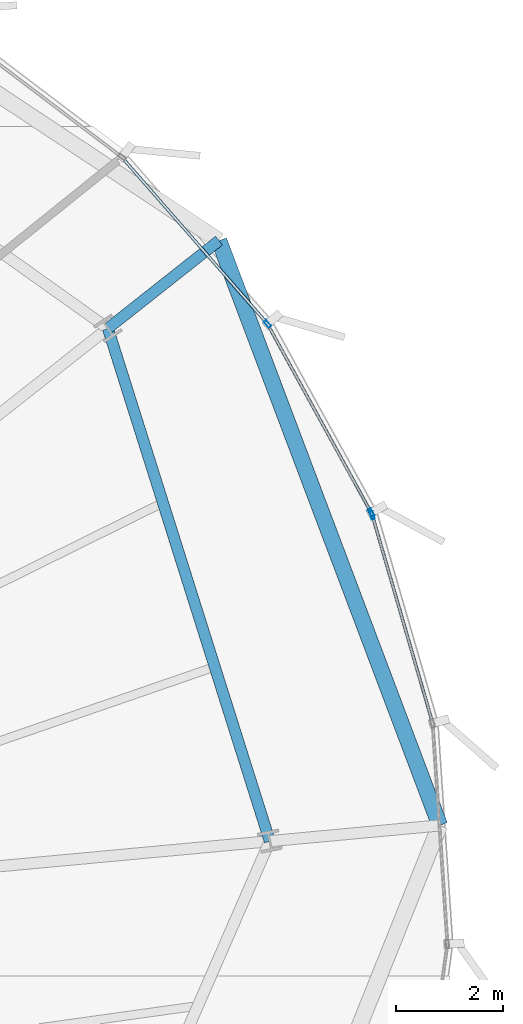
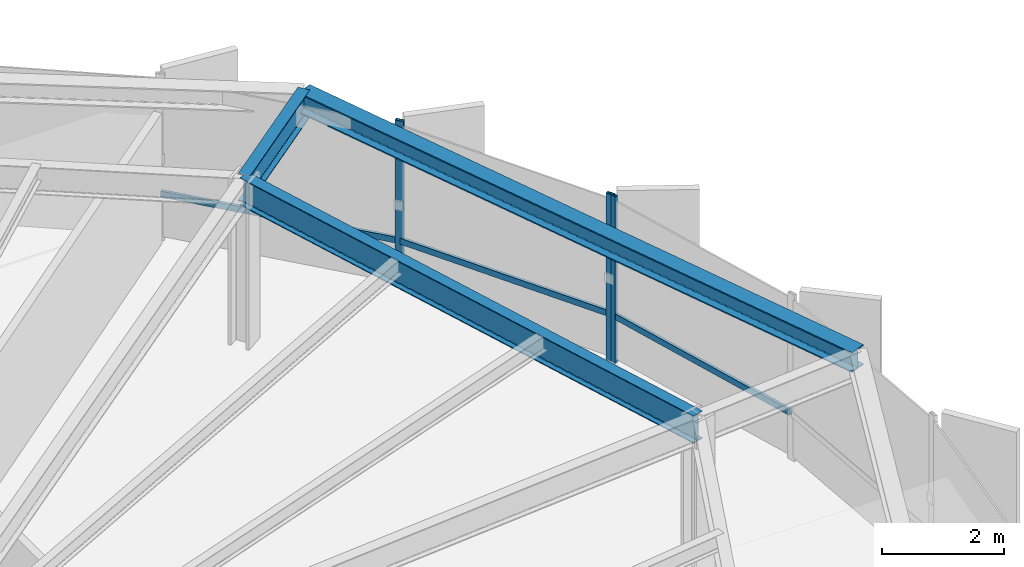
# One storey, part 24 of 34: 6 members, 3 beams, 2 elements without a shape of their own.
"""IFC4 building model written with IfcOpenShell, lengths in metres."""

from ifc_helpers import new_model, si_unit, direction, frame, origin, origin_2d, place, context, subcontext, project, spatial, hollow_rectangle, i_section, extrude, source, transform, mapped, material, layer, layer_set, material_profile, profile_set, type_object, element, aggregate, save


model = new_model("IFC4")

# Units and contexts
model_context = context("Model", 3, precision=1e-05, world=origin(), true_north=direction((0.0, 1.0)))
body_context = subcontext(model_context, "Body", "Model", "MODEL_VIEW")
ifc_project = project(units=[si_unit("LENGTHUNIT", "METRE"), si_unit("AREAUNIT", "SQUARE_METRE"), si_unit("VOLUMEUNIT", "CUBIC_METRE"), si_unit("PLANEANGLEUNIT", "RADIAN"), si_unit("MASSUNIT", "GRAM", prefix="KILO"), si_unit("THERMODYNAMICTEMPERATUREUNIT", "KELVIN")], contexts=[model_context])

# Site, building, storey
site_placement = place(None, origin())
site = spatial("IfcSite", under=ifc_project, at=site_placement, CompositionType="ELEMENT")
building_placement = place(site_placement, origin())
building = spatial("IfcBuilding", under=site, at=building_placement, Name="Kethvar Cultural Tower", CompositionType="ELEMENT")
storey_placement = place(building_placement, frame((0.0, 0.0, 125.199951171875)))
storey = spatial("IfcBuildingStorey", under=building, at=storey_placement, Name="L31", CompositionType="ELEMENT", Elevation=125.199951171875)

# Beams
ifc_material_1 = material(Name="Steel S355J2", Category="steel")
ifc_material_profile_1 = material_profile(ifc_material_1, i_section(OverallWidth=0.2099609375, OverallDepth=0.550048828125, WebThickness=0.010986328125, FlangeThickness=0.01708984375, FilletRadius=0.02392578125, at=origin_2d()), Name="Steel S355J2 — IPE550")
ifc_profile_set_1 = profile_set([ifc_material_profile_1], Name="Steel S355J2 — IPE550")
beam_type_1 = type_object("IfcBeamType", Name="BM-IPE550", PredefinedType="BEAM", material=ifc_profile_set_1)
shared_shape_1 = source(origin(), body_context, "Body", "SweptSolid", [
    extrude(i_section(OverallWidth=0.2099609375, OverallDepth=0.550048828125, WebThickness=0.010986328125, FlangeThickness=0.01708984375, FilletRadius=0.02392578125, at=origin_2d()), origin(), (0.0, 0.0, 1.0), 10.079345703125),
])
beam_1_placement = place(storey_placement, frame((71.6025390625, 32.7333984375, 3.072998046875), z_axis=(-0.301007326566, 0.953621827222, 0.0), x_axis=(-0.953621827222, -0.301007326566, 0.0)))
element("IfcBeam", 1, at=beam_1_placement, inside=storey, type_object=beam_type_1, Name="L31 Column Ring Tie Beam CR-01", PredefinedType="BEAM", context=body_context, shape_type="MappedRepresentation", body=[
    mapped(shared_shape_1, transform((0.0, 0.0, 0.0), scale=1.0)),
])
shared_shape_2 = source(origin(), body_context, "Body", "SweptSolid", [
    extrude(i_section(OverallWidth=0.2099609375, OverallDepth=0.550048828125, WebThickness=0.010986328125, FlangeThickness=0.01708984375, FilletRadius=0.02392578125, at=origin_2d()), origin(), (0.0, 0.0, 1.0), 2.653076171875),
])
beam_2_placement = place(storey_placement, frame((68.568603515625, 42.34521484375, 3.072998046875), z_axis=(0.784651876702, 0.619936635785, 0.0), x_axis=(-0.619936635785, 0.784651876702, 0.0)))
element("IfcBeam", 2, at=beam_2_placement, inside=storey, type_object=beam_type_1, Name="L31 Perimeter Cantilever Beam RC-02", PredefinedType="BEAM", context=body_context, shape_type="MappedRepresentation", body=[
    mapped(shared_shape_2, transform((0.0, 0.0, 0.0), scale=1.0)),
])
ifc_material_profile_2 = material_profile(ifc_material_1, i_section(OverallWidth=0.300048828125, OverallDepth=0.39990234375, WebThickness=0.013427734375, FlangeThickness=0.02392578125, FilletRadius=0.027099609375, at=origin_2d()), Name="Steel S355J2 — HEB400")
ifc_profile_set_2 = profile_set([ifc_material_profile_2], Name="Steel S355J2 — HEB400")
beam_type_2 = type_object("IfcBeamType", Name="BM-SP400", PredefinedType="SPANDREL", material=ifc_profile_set_2)
shared_shape_3 = source(origin(), body_context, "Body", "SweptSolid", [
    extrude(i_section(OverallWidth=0.300048828125, OverallDepth=0.39990234375, WebThickness=0.013427734375, FlangeThickness=0.02392578125, FilletRadius=0.027099609375, at=origin_2d()), origin(), (0.0, 0.0, 1.0), 11.71630859375),
])
beam_3_placement = place(storey_placement, frame((74.788818359375, 33.02880859375, 3.14794921875), z_axis=(-0.353216590286, 0.935541575958, 0.0), x_axis=(-0.935541575958, -0.353216590286, 0.0)))
element("IfcBeam", 3, at=beam_3_placement, inside=storey, type_object=beam_type_2, Name="L31 Perimeter Spandrel Beam SP-01", PredefinedType="SPANDREL", context=body_context, shape_type="MappedRepresentation", body=[
    mapped(shared_shape_3, transform((0.0, 0.0, 0.0), scale=1.0)),
])

# Curtain wall, members
ifc_material_2 = material(Name="Aluminium 6063-T6", Category="aluminium")
ifc_layer = layer(ifc_material_2, 0.179931640625, Name="Aluminium 6063-T6", Category="aluminium")
ifc_layer_set = layer_set([ifc_layer], Name="Aluminium 6063-T6 (180 mm)")
curtain_wall_type = type_object("IfcCurtainWallType", Name="CW-SYS-03-Z2", PredefinedType="NOTDEFINED", material=ifc_layer_set)
curtain_wall_1_placement = place(storey_placement, origin())
curtain_wall_1 = element("IfcCurtainWall", 4, at=curtain_wall_1_placement, inside=storey, type_object=curtain_wall_type, Name="L31 Curtain Wall Run 01", PredefinedType="NOTDEFINED")
ifc_material_profile_3 = material_profile(ifc_material_2, hollow_rectangle(XDim=0.06005859375, YDim=0.14990234375, WallThickness=0.0048828125, at=origin_2d()), Name="Aluminium 6063-T6 — RHS150x60x5")
ifc_profile_set_3 = profile_set([ifc_material_profile_3], Name="Aluminium 6063-T6 — RHS150x60x5")
member_type_1 = type_object("IfcMemberType", Name="CW-SYS-03-Z2-MUL", PredefinedType="MULLION", material=ifc_profile_set_3)
shared_shape_4 = source(origin(), body_context, "Body", "SweptSolid", [
    extrude(hollow_rectangle(XDim=0.06005859375, YDim=0.14990234375, WallThickness=0.0048828125, at=origin_2d()), origin(), (0.0, 0.0, 1.0), 3.35009765625),
])
member_1_placement = place(storey_placement, frame((73.50390625, 38.889404296875, 0.0), z_axis=(0.0, 0.0, 1.0), x_axis=(-0.876298271723, -0.481768968465, 0.0)))
member_1 = element("IfcMember", 5, at=member_1_placement, type_object=member_type_1, Name="CW-L31-R01 Mullion 1", PredefinedType="MULLION", context=body_context, shape_type="MappedRepresentation", body=[
    mapped(shared_shape_4, transform((0.0, 0.0, 0.0), scale=1.0)),
])
member_2_placement = place(storey_placement, frame((71.561279296875, 42.428466796875, 0.0), z_axis=(0.0, 0.0, 1.0), x_axis=(-0.752909037848, -0.65812459362, 0.0)))
member_2 = element("IfcMember", 6, at=member_2_placement, type_object=member_type_1, Name="CW-L31-R01 Mullion 2", PredefinedType="MULLION", context=body_context, shape_type="MappedRepresentation", body=[
    mapped(shared_shape_4, transform((0.0, 0.0, 0.0), scale=1.0)),
])

# Curtain wall, member
curtain_wall_2_placement = place(storey_placement, origin())
curtain_wall_2 = element("IfcCurtainWall", 7, at=curtain_wall_2_placement, inside=storey, type_object=curtain_wall_type, Name="L31 Curtain Wall Run 06", PredefinedType="NOTDEFINED")
member_3_placement = place(storey_placement, frame((73.52392578125, 38.84130859375, 0.0), z_axis=(0.0, 0.0, 1.0), x_axis=(-0.960293685677, -0.278991106039, 0.0)))
member_3 = element("IfcMember", 8, at=member_3_placement, type_object=member_type_1, Name="CW-L31-R06 Mullion 7", PredefinedType="MULLION", context=body_context, shape_type="MappedRepresentation", body=[
    mapped(shared_shape_4, transform((0.0, 0.0, 0.0), scale=1.0)),
])

# Member
ifc_material_profile_4 = material_profile(ifc_material_2, hollow_rectangle(XDim=0.054931640625, YDim=0.1201171875, WallThickness=0.00390625, at=origin_2d()), Name="Aluminium 6063-T6 — RHS120x55x4")
ifc_profile_set_4 = profile_set([ifc_material_profile_4], Name="Aluminium 6063-T6 — RHS120x55x4")
member_type_2 = type_object("IfcMemberType", Name="CW-SYS-03-Z2-TRN", PredefinedType="USERDEFINED", material=ifc_profile_set_4)
shared_shape_5 = source(origin(), body_context, "Body", "SweptSolid", [
    extrude(hollow_rectangle(XDim=0.054931640625, YDim=0.1201171875, WallThickness=0.00390625, at=origin_2d()), origin(), (0.0, 0.0, 1.0), 4.01416015625),
])
member_4_placement = place(storey_placement, frame((73.501953125, 38.893310546875, 0.949951171875), z_axis=(-0.481806680445, 0.876277537472, 0.0), x_axis=(-0.876277537472, -0.481806680445, 0.0)))
member_4 = element("IfcMember", 9, at=member_4_placement, type_object=member_type_2, Name="CW-L31-R01 Transom 1", ObjectType="TRANSOM", PredefinedType="USERDEFINED", context=body_context, shape_type="MappedRepresentation", body=[
    mapped(shared_shape_5, transform((0.0, 0.0, 0.0), scale=1.0)),
])

shared_shape_6 = source(origin(), body_context, "Body", "SweptSolid", [
    extrude(hollow_rectangle(XDim=0.054931640625, YDim=0.1201171875, WallThickness=0.00390625, at=origin_2d()), origin(), (0.0, 0.0, 1.0), 4.0849609375),
])
member_5_placement = place(storey_placement, frame((71.532958984375, 42.4609375, 0.949951171875), z_axis=(-0.658123724923, 0.752909797183, 0.0), x_axis=(-0.752909797183, -0.658123724923, 0.0)))
member_5 = element("IfcMember", 10, at=member_5_placement, type_object=member_type_2, Name="CW-L31-R01 Transom 2", ObjectType="TRANSOM", PredefinedType="USERDEFINED", context=body_context, shape_type="MappedRepresentation", body=[
    mapped(shared_shape_6, transform((0.0, 0.0, 0.0), scale=1.0)),
])

aggregate(curtain_wall_1, [member_1, member_2, member_4, member_5])

shared_shape_7 = source(origin(), body_context, "Body", "SweptSolid", [
    extrude(hollow_rectangle(XDim=0.054931640625, YDim=0.1201171875, WallThickness=0.00390625, at=origin_2d()), origin(), (0.0, 0.0, 1.0), 4.014404296875),
])
member_6_placement = place(storey_placement, frame((74.64501953125, 34.982177734375, 0.949951171875), z_axis=(-0.278967603271, 0.96030051355, 0.0), x_axis=(-0.96030051355, -0.278967603271, 0.0)))
member_6 = element("IfcMember", 11, at=member_6_placement, type_object=member_type_2, Name="CW-L31-R06 Transom 6", ObjectType="TRANSOM", PredefinedType="USERDEFINED", context=body_context, shape_type="MappedRepresentation", body=[
    mapped(shared_shape_7, transform((0.0, 0.0, 0.0), scale=1.0)),
])

aggregate(curtain_wall_2, [member_3, member_6])

save(model, "model.ifc")
